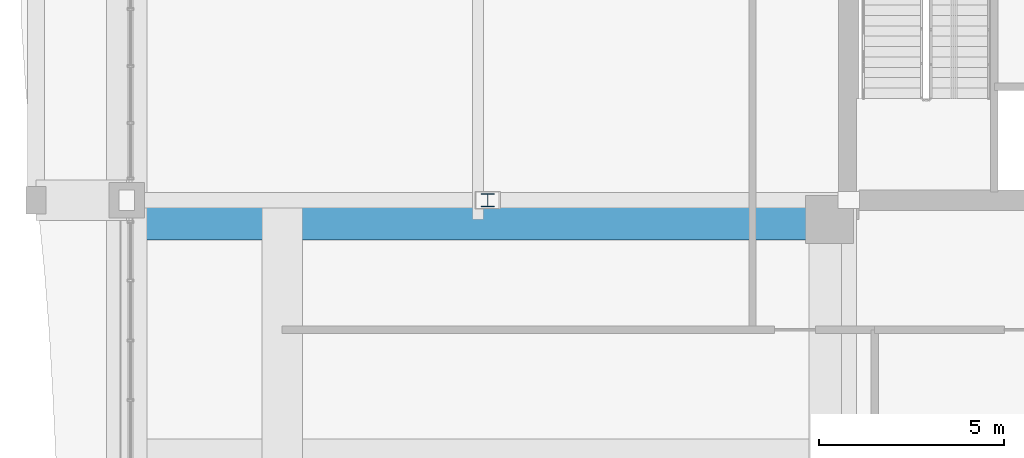
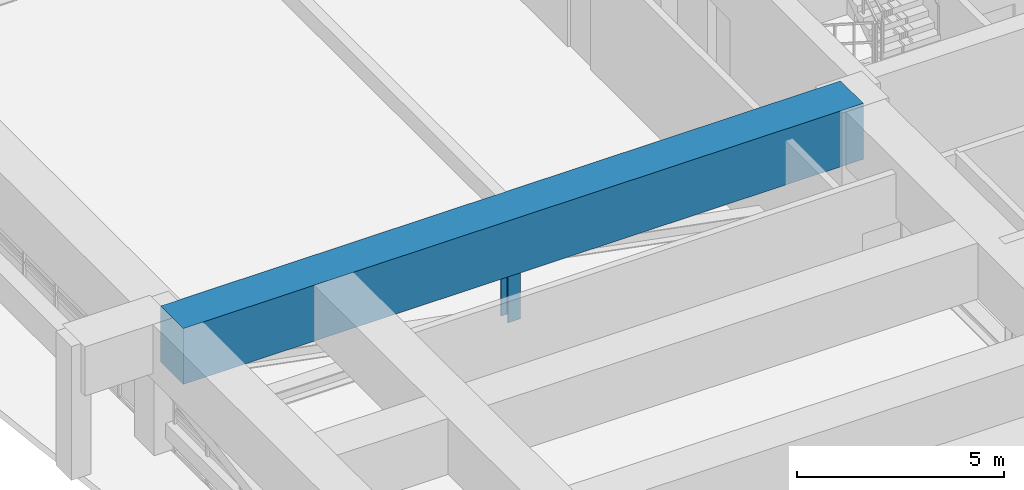
# One storey, part 7 of 35: 1 beam, 1 member.
"""IFC4 building model written with IfcOpenShell, lengths in metres."""

from ifc_helpers import new_model, si_unit, direction, frame, origin, origin_2d, place, context, subcontext, project, spatial, rectangle, i_section, extrude, source, transform, mapped, material, material_profile, profile_set, type_object, element, save


model = new_model("IFC4")

# Units and contexts
model_context = context("Model", 3, precision=1e-05, world=origin(), true_north=direction((0.0, 1.0)))
body_context = subcontext(model_context, "Body", "Model", "MODEL_VIEW")
ifc_project = project(units=[si_unit("LENGTHUNIT", "METRE"), si_unit("AREAUNIT", "SQUARE_METRE"), si_unit("VOLUMEUNIT", "CUBIC_METRE"), si_unit("PLANEANGLEUNIT", "RADIAN"), si_unit("MASSUNIT", "GRAM", prefix="KILO")], contexts=[model_context])

# Site, building, storey
site_placement = place(None, origin())
site = spatial("IfcSite", under=ifc_project, at=site_placement, CompositionType="ELEMENT")
building_placement = place(site_placement, origin())
building = spatial("IfcBuilding", under=site, at=building_placement, Name="Saelheon Loggia Tower", CompositionType="ELEMENT")
storey_placement = place(building_placement, frame((0.0, 0.0, 144.75)))
storey = spatial("IfcBuildingStorey", under=building, at=storey_placement, Name="L46", CompositionType="ELEMENT", Elevation=144.75)

# Beam
ifc_material_1 = material(Name="Concrete C50/60", Category="concrete")
ifc_material_profile_1 = material_profile(ifc_material_1, rectangle(XDim=1.10009765625, YDim=1.64990234375, at=origin_2d()), Name="RC-1100x1650")
ifc_profile_set_1 = profile_set([ifc_material_profile_1], Name="Concrete C50/60")
beam_type = type_object("IfcBeamType", Name="Beam_MegaTransfer_RC1100x1650", PredefinedType="BEAM", material=ifc_profile_set_1)
shared_shape_1 = source(origin(), body_context, "Body", "SweptSolid", [
    extrude(rectangle(XDim=1.10009765625, YDim=1.64990234375, at=origin_2d()), origin(), (0.0, 0.0, 1.0), 18.97998046875),
])
beam_placement = place(storey_placement, frame((30.97998046875, 17.47998046875, 3.125), z_axis=(-1.0, 0.0, 0.0), x_axis=(0.0, -1.0, 0.0)))
element("IfcBeam", 1, at=beam_placement, inside=storey, type_object=beam_type, Name="L46 Radial Floor Girder RAD-SW-W", PredefinedType="BEAM", context=body_context, shape_type="MappedRepresentation", body=[
    mapped(shared_shape_1, transform((0.0, 0.0, 0.0), scale=1.0)),
])

# Member
ifc_material_2 = material(Name="Steel SM355", Category="steel")
ifc_material_profile_2 = material_profile(ifc_material_2, i_section(OverallWidth=0.35009765625, OverallDepth=0.35009765625, WebThickness=0.011962890625, FlangeThickness=0.01904296875, at=origin_2d()), Name="H-350x350x12x19")
ifc_profile_set_2 = profile_set([ifc_material_profile_2], Name="Steel SM355")
member_type = type_object("IfcMemberType", Name="Outrigger_Post_H350", PredefinedType="POST", material=ifc_profile_set_2)
shared_shape_2 = source(origin(), body_context, "Body", "SweptSolid", [
    extrude(i_section(OverallWidth=0.35009765625, OverallDepth=0.35009765625, WebThickness=0.011962890625, FlangeThickness=0.01904296875, at=origin_2d()), origin(), (0.0, 0.0, 1.0), 1.85009765625),
])
member_placement = place(storey_placement, frame((21.75, 18.0, 0.219970703125), z_axis=(0.0, 0.0, 1.0), x_axis=(1.0, 0.0, 0.0)))
element("IfcMember", 2, at=member_placement, inside=storey, type_object=member_type, Name="L46 Outrigger Web Post SW-W", PredefinedType="POST", context=body_context, shape_type="MappedRepresentation", body=[
    mapped(shared_shape_2, transform((0.0, 0.0, 0.0), scale=1.0)),
])

save(model, "model.ifc")
